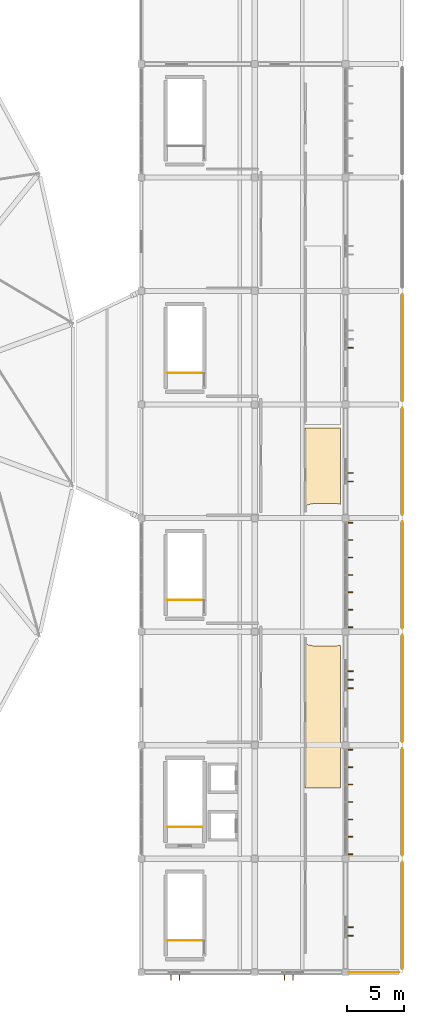
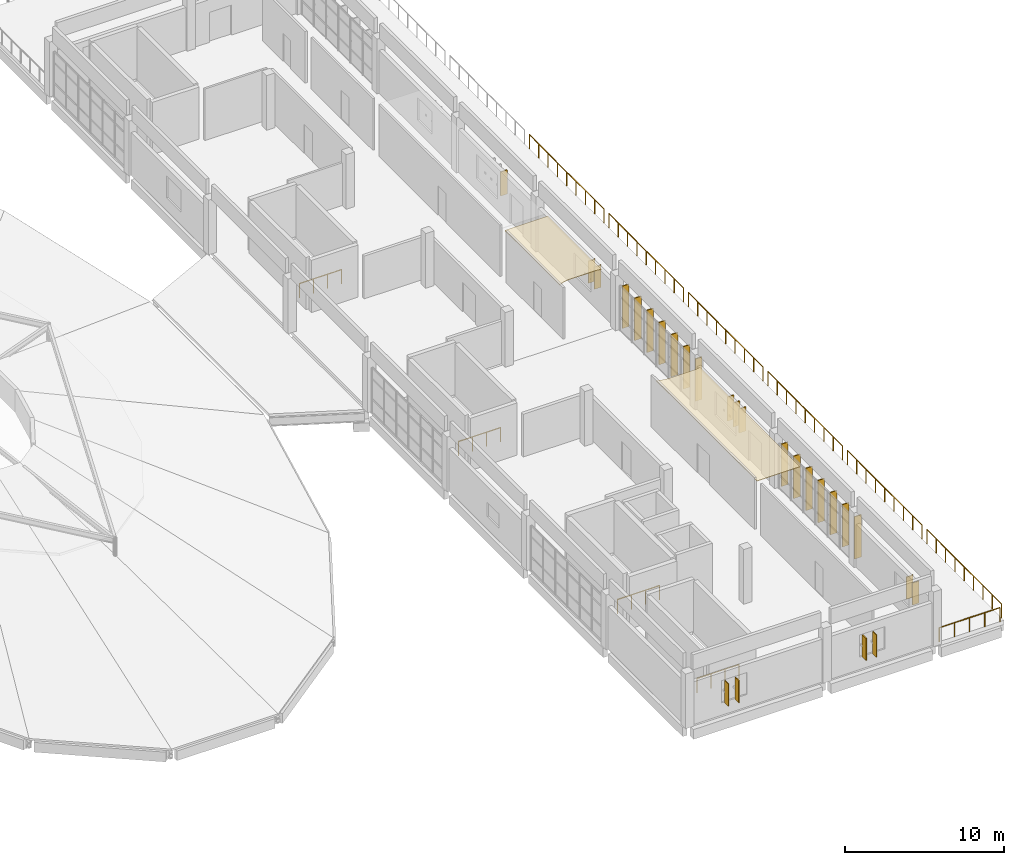
# One storey, part 38 of 39: 26 shading devices, 11 railings, 2 coverings.
"""IFC4 building model written with IfcOpenShell, lengths in metres."""

from ifc_helpers import new_model, si_unit, direction, frame, origin, origin_2d, place, context, subcontext, project, spatial, polyline, rectangle, circle, outline, extrude, material, layer, layer_set, type_object, element, save


model = new_model("IFC4")

# Units and contexts
model_context = context("Model", 3, precision=1e-05, world=origin(), true_north=direction((0.0, 1.0)))
body_context = subcontext(model_context, "Body", "Model", "MODEL_VIEW")
ifc_project = project(units=[si_unit("LENGTHUNIT", "METRE"), si_unit("AREAUNIT", "SQUARE_METRE"), si_unit("VOLUMEUNIT", "CUBIC_METRE"), si_unit("PLANEANGLEUNIT", "RADIAN"), si_unit("MASSUNIT", "GRAM", prefix="KILO")], contexts=[model_context])

# Site, building, storey
site_placement = place(None, origin())
site = spatial("IfcSite", under=ifc_project, at=site_placement, CompositionType="ELEMENT")
building_placement = place(site_placement, origin())
building = spatial("IfcBuilding", under=site, at=building_placement, Name="Corvandel Quay Wholesale Market", CompositionType="ELEMENT")
storey_placement = place(building_placement, frame((0.0, 0.0, 15.0)))
storey = spatial("IfcBuildingStorey", under=building, at=storey_placement, Name="L03", CompositionType="ELEMENT", Elevation=15.0)

# Railings
ifc_material_1 = material(Name="Hot-dip galvanised painted steel", Category="steel")
ifc_layer_1 = layer(ifc_material_1, 0.06005859375)
ifc_layer_set_1 = layer_set([ifc_layer_1], Name="Hot-dip galvanised painted steel")
railing_type_1 = type_object("IfcRailingType", Name="Galvanised Steel Guard Balustrade GR01 1100mm", PredefinedType="BALUSTRADE", material=ifc_layer_set_1)
for number, where, name in (
    (1, (243.0, 10.300048828125, 0.0), "Upper Harbour Terrace Guard L03 GR-0041"),
    (2, (243.0, 20.300048828125, 0.0), "Upper Harbour Terrace Guard L03 GR-0042"),
    (3, (243.0, 30.300048828125, 0.0), "Upper Harbour Terrace Guard L03 GR-0043"),
    (4, (243.0, 40.300048828125, 0.0), "Upper Harbour Terrace Guard L03 GR-0044"),
    (5, (243.0, 50.300048828125, 0.0), "Upper Harbour Terrace Guard L03 GR-0045"),
    (6, (243.0, 60.300048828125, 0.0), "Upper Harbour Terrace Guard L03 GR-0046"),
):
    element("IfcRailing", number, at=place(storey_placement, frame(where)), inside=storey, type_object=railing_type_1, Name=name, PredefinedType="BALUSTRADE", context=body_context, shape_type="SweptSolid", body=[
        extrude(circle(Radius=0.02392578125, at=origin_2d()), frame((0.0, 0.0, 1.076171875), z_axis=(0.0, 1.0, 0.0), x_axis=(-1.0, 0.0, 0.0)), (0.0, 0.0, 1.0), 9.39990234375),
        extrude(circle(Radius=0.02099609375, at=origin_2d()), origin(), (0.0, 0.0, 1.0), 1.052001953125),
        extrude(circle(Radius=0.02099609375, at=origin_2d()), frame((0.0, 1.175048828125, 0.0)), (0.0, 0.0, 1.0), 1.052001953125),
        extrude(circle(Radius=0.02099609375, at=origin_2d()), frame((0.0, 2.35009765625, 0.0)), (0.0, 0.0, 1.0), 1.052001953125),
        extrude(circle(Radius=0.02099609375, at=origin_2d()), frame((0.0, 3.52490234375, 0.0)), (0.0, 0.0, 1.0), 1.052001953125),
        extrude(circle(Radius=0.02099609375, at=origin_2d()), frame((0.0, 4.699951171875, 0.0)), (0.0, 0.0, 1.0), 1.052001953125),
        extrude(circle(Radius=0.02099609375, at=origin_2d()), frame((0.0, 5.875, 0.0)), (0.0, 0.0, 1.0), 1.052001953125),
        extrude(circle(Radius=0.02099609375, at=origin_2d()), frame((0.0, 7.0498046875, 0.0)), (0.0, 0.0, 1.0), 1.052001953125),
        extrude(circle(Radius=0.02099609375, at=origin_2d()), frame((0.0, 8.224853515625, 0.0)), (0.0, 0.0, 1.0), 1.052001953125),
        extrude(circle(Radius=0.02099609375, at=origin_2d()), frame((0.0, 9.39990234375, 0.0)), (0.0, 0.0, 1.0), 1.052001953125),
    ])
railing_placement = place(storey_placement, frame((238.300048828125, 10.0, 0.0)))
element("IfcRailing", 7, at=railing_placement, inside=storey, type_object=railing_type_1, Name="South Setback Return Guard L03 GR-0051", PredefinedType="BALUSTRADE", context=body_context, shape_type="SweptSolid", body=[
    extrude(circle(Radius=0.02392578125, at=origin_2d()), frame((0.0, 0.0, 1.076171875), z_axis=(1.0, 0.0, 0.0), x_axis=(0.0, 1.0, 0.0)), (0.0, 0.0, 1.0), 4.39990234375),
    extrude(circle(Radius=0.02099609375, at=origin_2d()), origin(), (0.0, 0.0, 1.0), 1.052001953125),
    extrude(circle(Radius=0.02099609375, at=origin_2d()), frame((1.10009765625, 0.0, 0.0)), (0.0, 0.0, 1.0), 1.052001953125),
    extrude(circle(Radius=0.02099609375, at=origin_2d()), frame((2.199951171875, 0.0, 0.0)), (0.0, 0.0, 1.0), 1.052001953125),
    extrude(circle(Radius=0.02099609375, at=origin_2d()), frame((3.2998046875, 0.0, 0.0)), (0.0, 0.0, 1.0), 1.052001953125),
    extrude(circle(Radius=0.02099609375, at=origin_2d()), frame((4.39990234375, 0.0, 0.0)), (0.0, 0.0, 1.0), 1.052001953125),
])

# Coverings
ifc_material_2 = material(Name="Perforated powder-coated aluminium acoustic panel", Category="aluminium")
ifc_layer_2 = layer(ifc_material_2, 0.044921875)
ifc_layer_set_2 = layer_set([ifc_layer_2], Name="Perforated powder-coated aluminium acoustic panel")
covering_type = type_object("IfcCoveringType", Name="Perforated Acoustic Baffle Ceiling CLG01", PredefinedType="CEILING", material=ifc_layer_set_2)
covering_1_placement = place(storey_placement, frame((0.0, 0.0, 3.81005859375)))
element("IfcCovering", 8, at=covering_1_placement, inside=storey, type_object=covering_type, Name="Suspended Ceiling CLG-034", PredefinedType="CEILING", context=body_context, shape_type="SweptSolid", body=[
    extrude(outline(polyline([(234.4580078125, 26.239990234375), (234.4560546875, 26.239990234375), (234.4541015625, 26.240966796875), (234.451904296875, 26.241943359375), (234.450927734375, 26.241943359375), (234.448974609375, 26.242919921875), (234.447021484375, 26.2451171875), (234.446044921875, 26.24609375), (234.445068359375, 26.2470703125), (234.443115234375, 26.2490234375), (234.44189453125, 26.2509765625), (234.44189453125, 26.251953125), (234.44091796875, 26.25390625), (234.43994140625, 26.256103515625), (234.43994140625, 26.258056640625), (234.43994140625, 26.260009765625), (234.43994140625, 38.968994140625), (234.450927734375, 38.962890625), (234.611083984375, 38.886962890625), (234.777099609375, 38.827880859375), (234.948974609375, 38.784912109375), (235.1240234375, 38.759033203125), (235.300048828125, 38.75), (237.10009765625, 38.75), (237.27587890625, 38.759033203125), (237.450927734375, 38.784912109375), (237.56005859375, 38.81201171875), (237.56005859375, 26.260009765625), (237.56005859375, 26.258056640625), (237.56005859375, 26.256103515625), (237.55908203125, 26.25390625), (237.55810546875, 26.251953125), (237.55810546875, 26.2509765625), (237.556884765625, 26.2490234375), (237.554931640625, 26.2470703125), (237.553955078125, 26.24609375), (237.552978515625, 26.2451171875), (237.551025390625, 26.242919921875), (237.549072265625, 26.241943359375), (237.548095703125, 26.241943359375), (237.5458984375, 26.240966796875), (237.5439453125, 26.239990234375), (237.5419921875, 26.239990234375), (237.5400390625, 26.239990234375), (234.4599609375, 26.239990234375), (234.4580078125, 26.239990234375)])), origin(), (0.0, 0.0, 1.0), 0.044921875),
])
covering_2_placement = place(storey_placement, frame((0.0, 0.0, 3.81005859375)))
element("IfcCovering", 9, at=covering_2_placement, inside=storey, type_object=covering_type, Name="Suspended Ceiling CLG-035", PredefinedType="CEILING", context=body_context, shape_type="SweptSolid", body=[
    extrude(outline(polyline([(234.43994140625, 57.93994140625), (234.43994140625, 57.94189453125), (234.43994140625, 57.944091796875), (234.44091796875, 57.946044921875), (234.44189453125, 57.947998046875), (234.44189453125, 57.948974609375), (234.443115234375, 57.950927734375), (234.445068359375, 57.952880859375), (234.446044921875, 57.9541015625), (234.447021484375, 57.955078125), (234.448974609375, 57.95703125), (234.450927734375, 57.9580078125), (234.451904296875, 57.9580078125), (234.4541015625, 57.958984375), (234.4560546875, 57.9599609375), (234.4580078125, 57.9599609375), (234.4599609375, 57.9599609375), (237.5400390625, 57.9599609375), (237.5419921875, 57.9599609375), (237.5439453125, 57.9599609375), (237.5458984375, 57.958984375), (237.548095703125, 57.9580078125), (237.549072265625, 57.9580078125), (237.551025390625, 57.95703125), (237.552978515625, 57.955078125), (237.553955078125, 57.9541015625), (237.554931640625, 57.952880859375), (237.556884765625, 57.950927734375), (237.55810546875, 57.948974609375), (237.55810546875, 57.947998046875), (237.55908203125, 57.946044921875), (237.56005859375, 57.944091796875), (237.56005859375, 57.94189453125), (237.56005859375, 57.93994140625), (237.56005859375, 51.218017578125), (237.450927734375, 51.2451171875), (237.27587890625, 51.27099609375), (237.10009765625, 51.280029296875), (235.300048828125, 51.280029296875), (235.1240234375, 51.27099609375), (234.948974609375, 51.2451171875), (234.777099609375, 51.201904296875), (234.611083984375, 51.14306640625), (234.450927734375, 51.06689453125), (234.43994140625, 51.06103515625), (234.43994140625, 57.93994140625)])), origin(), (0.0, 0.0, 1.0), 0.044921875),
])

# Railings
ifc_material_3 = material(Name="Painted galvanised tubular steel", Category="steel")
ifc_layer_3 = layer(ifc_material_3, 0.054931640625)
ifc_layer_set_3 = layer_set([ifc_layer_3], Name="Painted galvanised tubular steel")
railing_type_2 = type_object("IfcRailingType", Name="Stairwell Inner Guard Railing GR02 1100mm", PredefinedType="GUARDRAIL", material=ifc_layer_set_3)
for number, where, name in (
    (10, (222.320068359375, 22.800048828125, 0.0), "Stair Top Well Guard SH16-L03"),
    (11, (222.320068359375, 42.800048828125, 0.0), "Stair Top Well Guard SH17-L03"),
    (12, (222.320068359375, 62.800048828125, 0.0), "Stair Top Well Guard SH18-L03"),
    (13, (222.320068359375, 12.800048828125, 0.0), "Stair Top Well Guard SH19-L03"),
):
    element("IfcRailing", number, at=place(storey_placement, frame(where)), inside=storey, type_object=railing_type_2, Name=name, PredefinedType="GUARDRAIL", context=body_context, shape_type="SweptSolid", body=[
        extrude(circle(Radius=0.02392578125, at=origin_2d()), frame((0.0, 0.0, 1.076171875), z_axis=(1.0, 0.0, 0.0), x_axis=(0.0, 1.0, 0.0)), (0.0, 0.0, 1.0), 3.059814453125),
        extrude(circle(Radius=0.02099609375, at=origin_2d()), origin(), (0.0, 0.0, 1.0), 1.052001953125),
        extrude(circle(Radius=0.02099609375, at=origin_2d()), frame((1.02001953125, 0.0, 0.0)), (0.0, 0.0, 1.0), 1.052001953125),
        extrude(circle(Radius=0.02099609375, at=origin_2d()), frame((2.039794921875, 0.0, 0.0)), (0.0, 0.0, 1.0), 1.052001953125),
        extrude(circle(Radius=0.02099609375, at=origin_2d()), frame((3.059814453125, 0.0, 0.0)), (0.0, 0.0, 1.0), 1.052001953125),
    ])

# Shading devices
ifc_material_4 = material(Name="Bronze anodised extruded aluminium 6063-T6", Category="aluminium")
shading_device_type = type_object("IfcShadingDeviceType", Name="Vertical Anodised Bronze Solar Fin FN01 480mm", PredefinedType="JALOUSIE", material=ifc_material_4)
for number, where, z_axis, x_axis, name in (
    (14, (238.43994140625, 13.219970703125, 0.89990234375), (0.0, 0.0, 1.0), (1.0, 0.0, 0.0), "Solar Fin 0718"),
    (15, (238.43994140625, 13.969970703125, 0.89990234375), (0.0, 0.0, 1.0), (1.0, 0.0, 0.0), "Solar Fin 0719"),
):
    element("IfcShadingDevice", number, at=place(storey_placement, frame(where, z_axis=z_axis, x_axis=x_axis)), inside=storey, type_object=shading_device_type, Name=name, PredefinedType="JALOUSIE", context=body_context, shape_type="SweptSolid", body=[
        extrude(rectangle(XDim=0.47998046875, YDim=0.06494140625, at=origin_2d()), origin(), (0.0, 0.0, 1.0), 1.699951171875),
    ])
for number, where, z_axis, x_axis, name in (
    (16, (238.3798828125, 20.39990234375, 0.10009765625), (0.0, 0.0, 1.0), (1.0, 0.0, 0.0), "Solar Fin 0720"),
    (17, (238.3798828125, 21.933349609375, 0.10009765625), (0.0, 0.0, 1.0), (1.0, 0.0, 0.0), "Solar Fin 0721"),
    (18, (238.3798828125, 23.466796875, 0.10009765625), (0.0, 0.0, 1.0), (1.0, 0.0, 0.0), "Solar Fin 0722"),
    (19, (238.3798828125, 25.0, 0.10009765625), (0.0, 0.0, 1.0), (1.0, 0.0, 0.0), "Solar Fin 0723"),
    (20, (238.3798828125, 26.533203125, 0.10009765625), (0.0, 0.0, 1.0), (1.0, 0.0, 0.0), "Solar Fin 0724"),
    (21, (238.3798828125, 28.066650390625, 0.10009765625), (0.0, 0.0, 1.0), (1.0, 0.0, 0.0), "Solar Fin 0725"),
    (22, (238.3798828125, 29.60009765625, 0.10009765625), (0.0, 0.0, 1.0), (1.0, 0.0, 0.0), "Solar Fin 0726"),
):
    element("IfcShadingDevice", number, at=place(storey_placement, frame(where, z_axis=z_axis, x_axis=x_axis)), inside=storey, type_object=shading_device_type, Name=name, PredefinedType="JALOUSIE", context=body_context, shape_type="SweptSolid", body=[
        extrude(rectangle(XDim=0.47998046875, YDim=0.06494140625, at=origin_2d()), origin(), (0.0, 0.0, 1.0), 3.25),
    ])
for number, where, z_axis, x_axis, name in (
    (23, (238.43994140625, 35.02001953125, 0.89990234375), (0.0, 0.0, 1.0), (1.0, 0.0, 0.0), "Solar Fin 0727"),
    (24, (238.43994140625, 35.77001953125, 0.89990234375), (0.0, 0.0, 1.0), (1.0, 0.0, 0.0), "Solar Fin 0728"),
    (25, (238.43994140625, 36.52001953125, 0.89990234375), (0.0, 0.0, 1.0), (1.0, 0.0, 0.0), "Solar Fin 0729"),
):
    element("IfcShadingDevice", number, at=place(storey_placement, frame(where, z_axis=z_axis, x_axis=x_axis)), inside=storey, type_object=shading_device_type, Name=name, PredefinedType="JALOUSIE", context=body_context, shape_type="SweptSolid", body=[
        extrude(rectangle(XDim=0.47998046875, YDim=0.06494140625, at=origin_2d()), origin(), (0.0, 0.0, 1.0), 1.85009765625),
    ])
for number, where, z_axis, x_axis, name in (
    (26, (238.3798828125, 40.39990234375, 0.10009765625), (0.0, 0.0, 1.0), (1.0, 0.0, 0.0), "Solar Fin 0730"),
    (27, (238.3798828125, 41.933349609375, 0.10009765625), (0.0, 0.0, 1.0), (1.0, 0.0, 0.0), "Solar Fin 0731"),
    (28, (238.3798828125, 43.466796875, 0.10009765625), (0.0, 0.0, 1.0), (1.0, 0.0, 0.0), "Solar Fin 0732"),
    (29, (238.3798828125, 45.0, 0.10009765625), (0.0, 0.0, 1.0), (1.0, 0.0, 0.0), "Solar Fin 0733"),
    (30, (238.3798828125, 46.533203125, 0.10009765625), (0.0, 0.0, 1.0), (1.0, 0.0, 0.0), "Solar Fin 0734"),
    (31, (238.3798828125, 48.066650390625, 0.10009765625), (0.0, 0.0, 1.0), (1.0, 0.0, 0.0), "Solar Fin 0735"),
    (32, (238.3798828125, 49.60009765625, 0.10009765625), (0.0, 0.0, 1.0), (1.0, 0.0, 0.0), "Solar Fin 0736"),
):
    element("IfcShadingDevice", number, at=place(storey_placement, frame(where, z_axis=z_axis, x_axis=x_axis)), inside=storey, type_object=shading_device_type, Name=name, PredefinedType="JALOUSIE", context=body_context, shape_type="SweptSolid", body=[
        extrude(rectangle(XDim=0.47998046875, YDim=0.06494140625, at=origin_2d()), origin(), (0.0, 0.0, 1.0), 3.25),
    ])
for number, where, z_axis, x_axis, name in (
    (33, (238.43994140625, 53.219970703125, 0.89990234375), (0.0, 0.0, 1.0), (1.0, 0.0, 0.0), "Solar Fin 0737"),
    (34, (238.43994140625, 53.969970703125, 0.89990234375), (0.0, 0.0, 1.0), (1.0, 0.0, 0.0), "Solar Fin 0738"),
):
    element("IfcShadingDevice", number, at=place(storey_placement, frame(where, z_axis=z_axis, x_axis=x_axis)), inside=storey, type_object=shading_device_type, Name=name, PredefinedType="JALOUSIE", context=body_context, shape_type="SweptSolid", body=[
        extrude(rectangle(XDim=0.47998046875, YDim=0.06494140625, at=origin_2d()), origin(), (0.0, 0.0, 1.0), 1.699951171875),
    ])
shading_device_placement = place(storey_placement, frame((238.43994140625, 65.02001953125, 0.89990234375), z_axis=(0.0, 0.0, 1.0), x_axis=(1.0, 0.0, 0.0)))
element("IfcShadingDevice", 35, at=shading_device_placement, inside=storey, type_object=shading_device_type, Name="Solar Fin 0739", PredefinedType="JALOUSIE", context=body_context, shape_type="SweptSolid", body=[
    extrude(rectangle(XDim=0.47998046875, YDim=0.06494140625, at=origin_2d()), origin(), (0.0, 0.0, 1.0), 1.85009765625),
])
for number, where, z_axis, x_axis, name in (
    (36, (222.6201171875, 9.56005859375, 0.9501953125), (0.0, 0.0, 1.0), (0.0, 1.0, 0.0), "Solar Fin 0751"),
    (37, (223.3701171875, 9.56005859375, 0.9501953125), (0.0, 0.0, 1.0), (0.0, 1.0, 0.0), "Solar Fin 0752"),
    (38, (232.6201171875, 9.56005859375, 0.9501953125), (0.0, 0.0, 1.0), (0.0, 1.0, 0.0), "Solar Fin 0753"),
    (39, (233.3701171875, 9.56005859375, 0.9501953125), (0.0, 0.0, 1.0), (0.0, 1.0, 0.0), "Solar Fin 0754"),
):
    element("IfcShadingDevice", number, at=place(storey_placement, frame(where, z_axis=z_axis, x_axis=x_axis)), inside=storey, type_object=shading_device_type, Name=name, PredefinedType="JALOUSIE", context=body_context, shape_type="SweptSolid", body=[
        extrude(rectangle(XDim=0.47998046875, YDim=0.06494140625, at=origin_2d()), origin(), (0.0, 0.0, 1.0), 1.699951171875),
    ])

save(model, "model.ifc")
